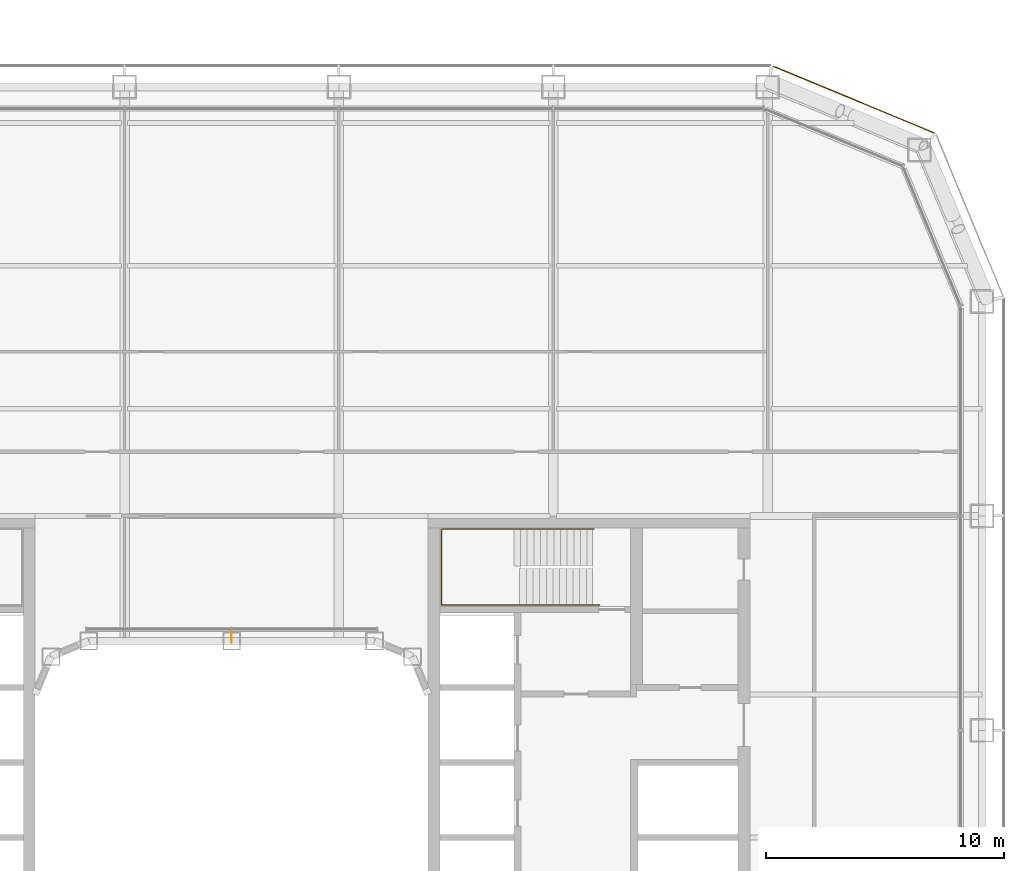
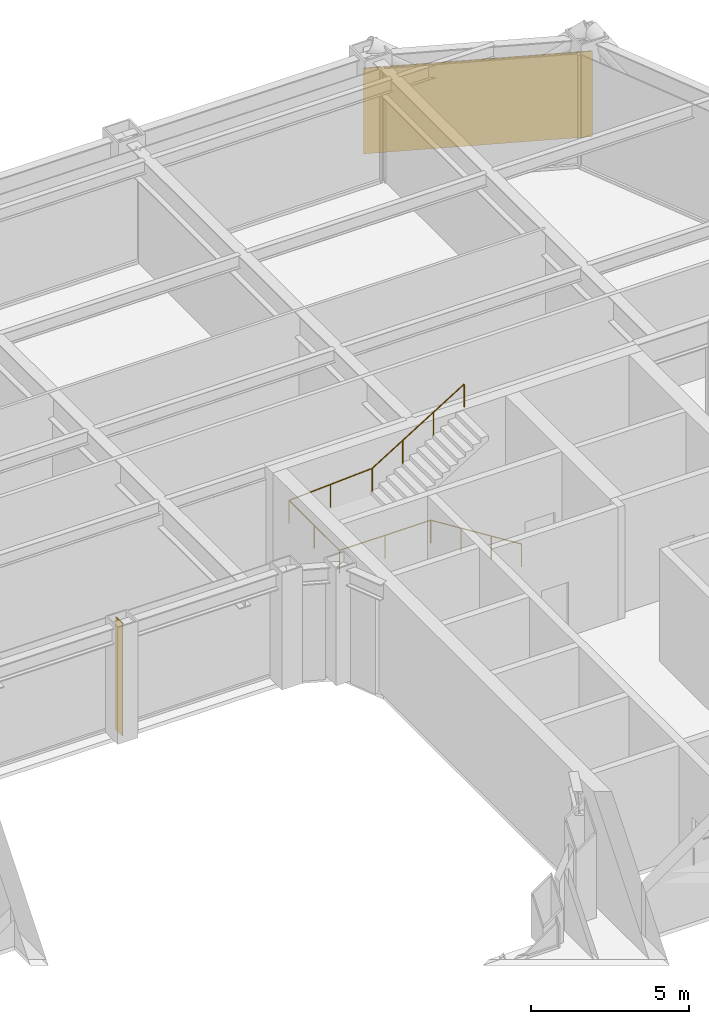
# One storey, part 27 of 29: 1 covering, 1 railing, 1 shading device.
"""IFC4 building model written with IfcOpenShell, lengths in metres."""

from ifc_helpers import new_model, si_unit, direction, frame, origin, origin_2d, place, context, subcontext, project, spatial, rectangle, circle, extrude, material, layer, layer_set, type_object, element, save


model = new_model("IFC4")

# Units and contexts
model_context = context("Model", 3, precision=1e-05, world=origin(), true_north=direction((0.0, 1.0)))
body_context = subcontext(model_context, "Body", "Model", "MODEL_VIEW")
ifc_project = project(units=[si_unit("LENGTHUNIT", "METRE"), si_unit("AREAUNIT", "SQUARE_METRE"), si_unit("VOLUMEUNIT", "CUBIC_METRE"), si_unit("PLANEANGLEUNIT", "RADIAN"), si_unit("MASSUNIT", "GRAM", prefix="KILO")], contexts=[model_context])

# Site, building, storey
site_placement = place(None, origin())
site = spatial("IfcSite", under=ifc_project, at=site_placement, CompositionType="ELEMENT")
building_placement = place(site_placement, origin())
building = spatial("IfcBuilding", under=site, at=building_placement, Name="Siwar Civic Tower", CompositionType="ELEMENT")
storey_placement = place(building_placement, frame((0.0, 0.0, 67.199951171875)))
storey = spatial("IfcBuildingStorey", under=building, at=storey_placement, Name="L14", CompositionType="ELEMENT", Elevation=67.199951171875)

# Railing
ifc_material_1 = material(Name="Stainless steel", Category="steel")
railing_type = type_object("IfcRailingType", Name="CORE-STAIR-HANDRAIL", PredefinedType="HANDRAIL", material=ifc_material_1)
railing_placement = place(storey_placement, frame((15.449951171875, 9.758056640625, 0.173095703125)))
element("IfcRailing", 1, at=railing_placement, inside=storey, type_object=railing_type, Name="Stair handrail ST3", PredefinedType="HANDRAIL", context=body_context, shape_type="SweptSolid", body=[
    extrude(circle(Radius=0.02001953125, at=origin_2d()), frame((0.0, 0.0, 0.8798828125), z_axis=(-0.847063342986, 0.0, 0.531491950051), x_axis=(0.0, -1.0, 0.0)), (0.0, 0.0, 1.0), 3.90771484375),
    extrude(circle(Radius=0.02001953125, at=origin_2d()), frame((-3.31005859375, 0.0, 2.956787109375), z_axis=(-1.0, 0.0, 0.0), x_axis=(0.0, -1.0, 0.0)), (0.0, 0.0, 1.0), 3.331787109375),
    extrude(circle(Radius=0.02001953125, at=origin_2d()), frame((-6.641845703125, 0.0, 2.956787109375), z_axis=(0.0, 1.0, 0.0), x_axis=(-1.0, 0.0, 0.0)), (0.0, 0.0, 1.0), 3.183837890625),
    extrude(circle(Radius=0.02001953125, at=origin_2d()), frame((-6.641845703125, 3.183837890625, 2.956787109375), z_axis=(0.99837434197, 0.0, 0.056997134106), x_axis=(0.0, 1.0, 0.0)), (0.0, 0.0, 1.0), 3.036865234375),
    extrude(circle(Radius=0.02001953125, at=origin_2d()), frame((-3.60986328125, 3.183837890625, 3.1298828125), z_axis=(0.850606129759, 0.0, 0.525803396734), x_axis=(0.0, 1.0, 0.0)), (0.0, 0.0, 1.0), 3.949951171875),
    extrude(circle(Radius=0.02001953125, at=origin_2d()), origin(), (0.0, 0.0, 1.0), 0.85986328125),
    extrude(circle(Radius=0.02001953125, at=origin_2d()), frame((-1.103271484375, 0.0, 0.6923828125)), (0.0, 0.0, 1.0), 0.85986328125),
    extrude(circle(Radius=0.02001953125, at=origin_2d()), frame((-2.206787109375, 0.0, 1.384521484375)), (0.0, 0.0, 1.0), 0.85986328125),
    extrude(circle(Radius=0.02001953125, at=origin_2d()), frame((-3.31005859375, 0.0, 2.076904296875)), (0.0, 0.0, 1.0), 0.85986328125),
    extrude(circle(Radius=0.02001953125, at=origin_2d()), frame((-4.97607421875, 0.0, 2.076904296875)), (0.0, 0.0, 1.0), 0.85986328125),
    extrude(circle(Radius=0.02001953125, at=origin_2d()), frame((-6.641845703125, 0.0, 2.076904296875)), (0.0, 0.0, 1.0), 0.85986328125),
    extrude(circle(Radius=0.02001953125, at=origin_2d()), frame((-6.641845703125, 1.591796875, 2.076904296875)), (0.0, 0.0, 1.0), 0.85986328125),
    extrude(circle(Radius=0.02001953125, at=origin_2d()), frame((-6.641845703125, 3.183837890625, 2.076904296875)), (0.0, 0.0, 1.0), 0.85986328125),
    extrude(circle(Radius=0.02001953125, at=origin_2d()), frame((-5.1259765625, 3.183837890625, 2.16357421875)), (0.0, 0.0, 1.0), 0.85986328125),
    extrude(circle(Radius=0.02001953125, at=origin_2d()), frame((-3.60986328125, 3.183837890625, 2.25)), (0.0, 0.0, 1.0), 0.85986328125),
    extrude(circle(Radius=0.02001953125, at=origin_2d()), frame((-2.489990234375, 3.183837890625, 2.9423828125)), (0.0, 0.0, 1.0), 0.85986328125),
    extrude(circle(Radius=0.02001953125, at=origin_2d()), frame((-1.369873046875, 3.183837890625, 3.634521484375)), (0.0, 0.0, 1.0), 0.85986328125),
    extrude(circle(Radius=0.02001953125, at=origin_2d()), frame((-0.25, 3.183837890625, 4.326904296875)), (0.0, 0.0, 1.0), 0.85986328125),
])

# Shading device
ifc_material_2 = material(Name="Aluminium 6063-T6", Category="aluminium")
ifc_layer_1 = layer(ifc_material_2, 0.02001953125)
ifc_layer_set_1 = layer_set([ifc_layer_1], Name="Aluminium 6063-T6")
shading_device_type = type_object("IfcShadingDeviceType", Name="ENV-FIN", PredefinedType="JALOUSIE", material=ifc_layer_set_1)
shading_device_placement = place(storey_placement, frame((0.0, 8.419921875, 0.0), z_axis=(0.0, 0.0, 1.0), x_axis=(-1.0, 0.0, 0.0)))
element("IfcShadingDevice", 2, at=shading_device_placement, inside=storey, type_object=shading_device_type, Name="SUNSHADE fin WN 1", PredefinedType="JALOUSIE", context=body_context, shape_type="SweptSolid", body=[
    extrude(rectangle(XDim=0.02001953125, YDim=0.449951171875, at=origin_2d()), origin(), (0.0, 0.0, 1.0), 4.35009765625),
])

# Covering
ifc_material_3 = material(Name="Perforated aluminium cassette, pale metal", Category="aluminium")
ifc_layer_2 = layer(ifc_material_3, 0.0400390625)
ifc_layer_set_2 = layer_set([ifc_layer_2], Name="Perforated aluminium cassette, pale metal")
covering_type = type_object("IfcCoveringType", Name="ENV-OUTER SKIN OS-1", PredefinedType="CLADDING", material=ifc_layer_set_2)
covering_placement = place(storey_placement, frame((26.115966796875, 30.976318359375, -0.14990234375), z_axis=(0.0, 0.0, 1.0), x_axis=(-0.923879532511, 0.382683432365, 0.0)))
element("IfcCovering", 3, at=covering_placement, inside=storey, type_object=covering_type, Name="OUTER SKIN OS-1 NE2 1", PredefinedType="CLADDING", context=body_context, shape_type="SweptSolid", body=[
    extrude(rectangle(XDim=7.300048828125, YDim=0.0400390625, at=origin_2d()), origin(), (0.0, 0.0, 1.0), 3.300048828125),
])

save(model, "model.ifc")
